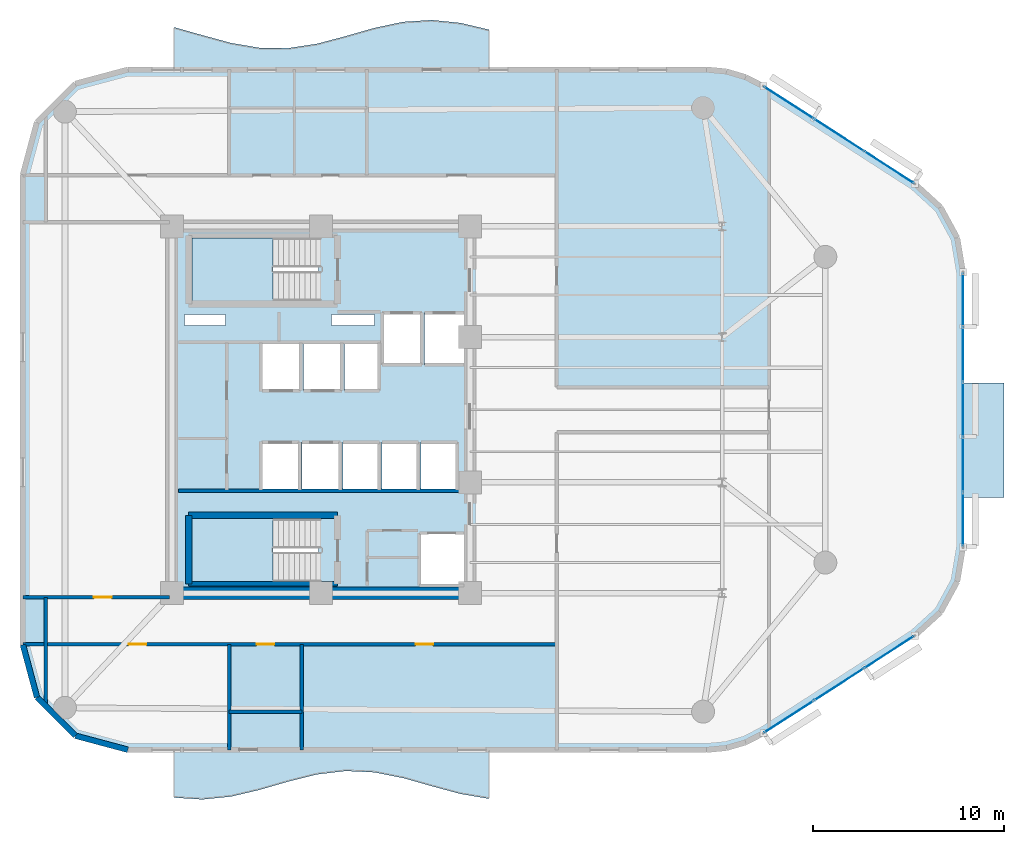
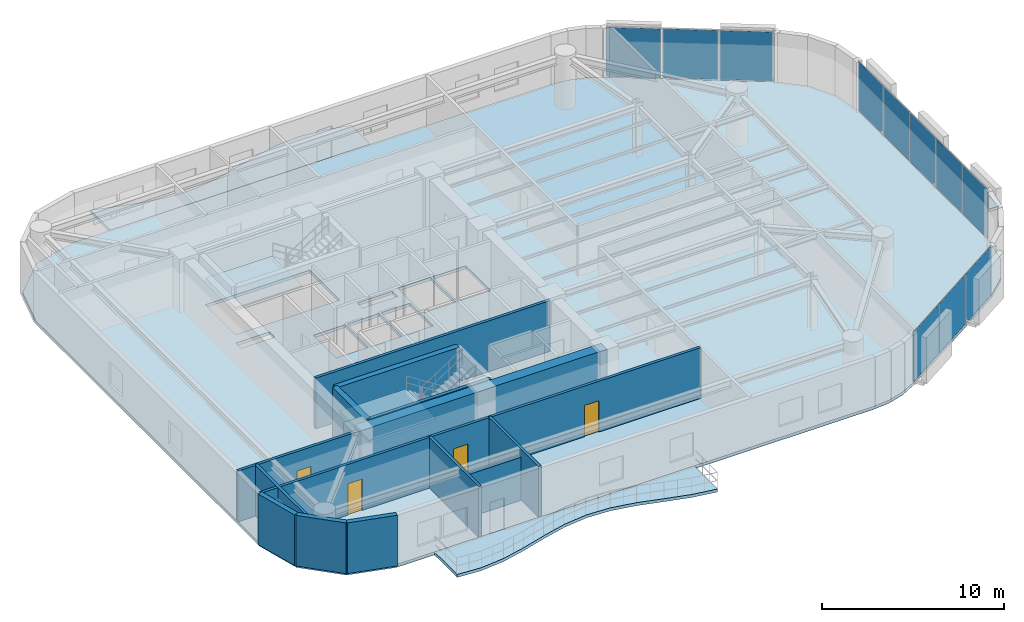
# One storey, part 9 of 14: 14 walls, 11 plates, 6 slabs, 4 doors, 4 openings, 5 elements without a shape of their own.
"""IFC4 building model written with IfcOpenShell, lengths in metres."""

from ifc_helpers import new_model, si_unit, direction, frame, frame_2d, origin, origin_2d, place, context, subcontext, project, spatial, polyline, rectangle, outline, extrude, material, layer, layer_set, type_object, element, fill, aggregate, save


model = new_model("IFC4")

# Units and contexts
model_context = context("Model", 3, precision=1e-05, world=origin(), true_north=direction((0.0, 1.0)))
body_context = subcontext(model_context, "Body", "Model", "MODEL_VIEW")
ifc_project = project(units=[si_unit("LENGTHUNIT", "METRE"), si_unit("AREAUNIT", "SQUARE_METRE"), si_unit("VOLUMEUNIT", "CUBIC_METRE"), si_unit("PLANEANGLEUNIT", "RADIAN"), si_unit("MASSUNIT", "GRAM", prefix="KILO")], contexts=[model_context])

# Site, building, storey
site_placement = place(None, origin())
site = spatial("IfcSite", under=ifc_project, at=site_placement, CompositionType="ELEMENT")
building_placement = place(site_placement, origin())
building = spatial("IfcBuilding", under=site, at=building_placement, Name="An Khanh Terracotta Commons", CompositionType="ELEMENT")
storey_placement = place(building_placement, frame((0.0, 0.0, 154.60009765625)))
storey = spatial("IfcBuildingStorey", under=building, at=storey_placement, Name="L40", CompositionType="ELEMENT", Elevation=154.60009765625)

# Curtain wall, plates
ifc_material_1 = material(Name="Anodised Aluminium 6063-T6", Category="aluminium")
ifc_layer_1 = layer(ifc_material_1, 0.2099609375, Name="Anodised Aluminium 6063-T6")
ifc_layer_set_1 = layer_set([ifc_layer_1], Name="Anodised Aluminium 6063-T6")
curtain_wall_type = type_object("IfcCurtainWallType", Name="CW-SYS-03", PredefinedType="USERDEFINED", material=ifc_layer_set_1)
curtain_wall_1_placement = place(storey_placement, origin())
curtain_wall_1 = element("IfcCurtainWall", 1, at=curtain_wall_1_placement, inside=storey, type_object=curtain_wall_type, Name="L40 CW-03 Unitised Curtain Wall CW-L40-08", ObjectType="UNITISED CURTAIN WALL", PredefinedType="USERDEFINED")
ifc_material_2 = material(Name="Acoustic Laminated Low-E Glazing", Category="glass")
ifc_layer_2 = layer(ifc_material_2, 0.035888671875, Name="Acoustic Laminated Low-E Glazing")
ifc_layer_set_2 = layer_set([ifc_layer_2], Name="Acoustic Laminated Low-E Glazing")
plate_type = type_object("IfcPlateType", Name="CWP-IGU-36", PredefinedType="CURTAIN_PANEL", material=ifc_layer_set_2)
plate_1_placement = place(storey_placement, frame((53.894287109375, 7.935546875, 0.0498046875), z_axis=(0.0, 0.0, 1.0), x_axis=(0.840702081986, 0.541497931062, 0.0)))
plate_1 = element("IfcPlate", 2, at=plate_1_placement, type_object=plate_type, Name="CW-03 panel 1.1", PredefinedType="CURTAIN_PANEL", context=body_context, shape_type="SweptSolid", body=[
    extrude(rectangle(XDim=3.034423828125, YDim=0.035888671875, at=origin_2d()), origin(), (0.0, 0.0, 1.0), 3.300048828125),
])
plate_2_placement = place(storey_placement, frame((56.51904296875, 9.6259765625, 0.0498046875), z_axis=(0.0, 0.0, 1.0), x_axis=(0.840702081986, 0.541497931062, 0.0)))
plate_2 = element("IfcPlate", 3, at=plate_2_placement, type_object=plate_type, Name="CW-03 panel 2.1", PredefinedType="CURTAIN_PANEL", context=body_context, shape_type="SweptSolid", body=[
    extrude(rectangle(XDim=3.0693359375, YDim=0.035888671875, at=origin_2d()), origin(), (0.0, 0.0, 1.0), 3.300048828125),
])
plate_3_placement = place(storey_placement, frame((59.1435546875, 11.31640625, 0.0498046875), z_axis=(0.0, 0.0, 1.0), x_axis=(0.840702081986, 0.541497931062, 0.0)))
plate_3 = element("IfcPlate", 4, at=plate_3_placement, type_object=plate_type, Name="CW-03 panel 3.1", PredefinedType="CURTAIN_PANEL", context=body_context, shape_type="SweptSolid", body=[
    extrude(rectangle(XDim=3.034423828125, YDim=0.035888671875, at=origin_2d()), origin(), (0.0, 0.0, 1.0), 3.300048828125),
])
aggregate(curtain_wall_1, [plate_1, plate_2, plate_3])

curtain_wall_2_placement = place(storey_placement, origin())
curtain_wall_2 = element("IfcCurtainWall", 5, at=curtain_wall_2_placement, inside=storey, type_object=curtain_wall_type, Name="L40 CW-03 Unitised Curtain Wall CW-L40-12", ObjectType="UNITISED CURTAIN WALL", PredefinedType="USERDEFINED")
plate_4_placement = place(storey_placement, frame((63.0, 18.257568359375, 0.0498046875), z_axis=(0.0, 0.0, 1.0), x_axis=(0.0, 1.0, 0.0)))
plate_4 = element("IfcPlate", 6, at=plate_4_placement, type_object=plate_type, Name="CW-03 panel 1.1", PredefinedType="CURTAIN_PANEL", context=body_context, shape_type="SweptSolid", body=[
    extrude(rectangle(XDim=2.77490234375, YDim=0.035888671875, at=origin_2d()), origin(), (0.0, 0.0, 1.0), 3.300048828125),
])
plate_5_placement = place(storey_placement, frame((63.0, 21.1201171875, 0.0498046875), z_axis=(0.0, 0.0, 1.0), x_axis=(0.0, 1.0, 0.0)))
plate_5 = element("IfcPlate", 7, at=plate_5_placement, type_object=plate_type, Name="CW-03 panel 2.1", PredefinedType="CURTAIN_PANEL", context=body_context, shape_type="SweptSolid", body=[
    extrude(rectangle(XDim=2.81005859375, YDim=0.035888671875, at=origin_2d()), origin(), (0.0, 0.0, 1.0), 3.300048828125),
])
plate_6_placement = place(storey_placement, frame((63.0, 24.0, 0.0498046875), z_axis=(0.0, 0.0, 1.0), x_axis=(0.0, 1.0, 0.0)))
plate_6 = element("IfcPlate", 8, at=plate_6_placement, type_object=plate_type, Name="CW-03 panel 3.1", PredefinedType="CURTAIN_PANEL", context=body_context, shape_type="SweptSolid", body=[
    extrude(rectangle(XDim=2.81005859375, YDim=0.035888671875, at=origin_2d()), origin(), (0.0, 0.0, 1.0), 3.300048828125),
])
plate_7_placement = place(storey_placement, frame((63.0, 26.8798828125, 0.0498046875), z_axis=(0.0, 0.0, 1.0), x_axis=(0.0, 1.0, 0.0)))
plate_7 = element("IfcPlate", 9, at=plate_7_placement, type_object=plate_type, Name="CW-03 panel 4.1", PredefinedType="CURTAIN_PANEL", context=body_context, shape_type="SweptSolid", body=[
    extrude(rectangle(XDim=2.81005859375, YDim=0.035888671875, at=origin_2d()), origin(), (0.0, 0.0, 1.0), 3.300048828125),
])
plate_8_placement = place(storey_placement, frame((63.0, 29.742431640625, 0.0498046875), z_axis=(0.0, 0.0, 1.0), x_axis=(0.0, 1.0, 0.0)))
plate_8 = element("IfcPlate", 10, at=plate_8_placement, type_object=plate_type, Name="CW-03 panel 5.1", PredefinedType="CURTAIN_PANEL", context=body_context, shape_type="SweptSolid", body=[
    extrude(rectangle(XDim=2.77490234375, YDim=0.035888671875, at=origin_2d()), origin(), (0.0, 0.0, 1.0), 3.300048828125),
])
aggregate(curtain_wall_2, [plate_4, plate_5, plate_6, plate_7, plate_8])

curtain_wall_3_placement = place(storey_placement, origin())
curtain_wall_3 = element("IfcCurtainWall", 11, at=curtain_wall_3_placement, inside=storey, type_object=curtain_wall_type, Name="L40 CW-03 Unitised Curtain Wall CW-L40-16", ObjectType="UNITISED CURTAIN WALL", PredefinedType="USERDEFINED")
plate_9_placement = place(storey_placement, frame((59.1435546875, 36.68359375, 0.0498046875), z_axis=(0.0, 0.0, 1.0), x_axis=(-0.840702081986, 0.541497931062, 0.0)))
plate_9 = element("IfcPlate", 12, at=plate_9_placement, type_object=plate_type, Name="CW-03 panel 1.1", PredefinedType="CURTAIN_PANEL", context=body_context, shape_type="SweptSolid", body=[
    extrude(rectangle(XDim=3.034423828125, YDim=0.035888671875, at=origin_2d()), origin(), (0.0, 0.0, 1.0), 3.300048828125),
])
plate_10_placement = place(storey_placement, frame((56.51904296875, 38.3740234375, 0.0498046875), z_axis=(0.0, 0.0, 1.0), x_axis=(-0.840702081986, 0.541497931062, 0.0)))
plate_10 = element("IfcPlate", 13, at=plate_10_placement, type_object=plate_type, Name="CW-03 panel 2.1", PredefinedType="CURTAIN_PANEL", context=body_context, shape_type="SweptSolid", body=[
    extrude(rectangle(XDim=3.0693359375, YDim=0.035888671875, at=origin_2d()), origin(), (0.0, 0.0, 1.0), 3.300048828125),
])
plate_11_placement = place(storey_placement, frame((53.894287109375, 40.064453125, 0.0498046875), z_axis=(0.0, 0.0, 1.0), x_axis=(-0.840702081986, 0.541497931062, 0.0)))
plate_11 = element("IfcPlate", 14, at=plate_11_placement, type_object=plate_type, Name="CW-03 panel 3.1", PredefinedType="CURTAIN_PANEL", context=body_context, shape_type="SweptSolid", body=[
    extrude(rectangle(XDim=3.034423828125, YDim=0.035888671875, at=origin_2d()), origin(), (0.0, 0.0, 1.0), 3.300048828125),
])
aggregate(curtain_wall_3, [plate_9, plate_10, plate_11])

# Slabs
ifc_material_3 = material(Name="Concrete C40/50", Category="concrete")
ifc_layer_3 = layer(ifc_material_3, 0.199951171875, Name="Concrete C40/50")
ifc_layer_set_3 = layer_set([ifc_layer_3], Name="Concrete C40/50")
slab_type_1 = type_object("IfcSlabType", Name="SLAB-BALC-200", PredefinedType="FLOOR", material=ifc_layer_set_3)
slab_1_placement = place(storey_placement, frame((0.0, 0.0, -0.2001953125)))
element("IfcSlab", 15, at=slab_1_placement, inside=storey, type_object=slab_type_1, Name="L40 S Sinusoidal Wave Balcony Slab", PredefinedType="FLOOR", context=body_context, shape_type="SweptSolid", body=[
    extrude(outline(polyline([(21.699951171875, 6.199951171875), (21.699951171875, 3.699951171875), (23.199951171875, 3.60205078125), (24.699951171875, 3.7548828125), (26.199951171875, 4.10888671875), (27.699951171875, 4.5439453125), (29.199951171875, 4.9140625), (30.699951171875, 5.093994140625), (32.199951171875, 5.02294921875), (33.699951171875, 4.72509765625), (35.199951171875, 4.301025390625), (36.699951171875, 3.89306640625), (38.199951171875, 3.639892578125), (38.199951171875, 6.199951171875), (21.699951171875, 6.199951171875)])), origin(), (0.0, 0.0, 1.0), 0.2001953125),
])
slab_2_placement = place(storey_placement, frame((0.0, 0.0, -0.2001953125)))
element("IfcSlab", 16, at=slab_2_placement, inside=storey, type_object=slab_type_1, Name="L40 N Sinusoidal Wave Balcony Slab", PredefinedType="FLOOR", context=body_context, shape_type="SweptSolid", body=[
    extrude(outline(polyline([(38.199951171875, 41.800048828125), (38.199951171875, 43.89111328125), (36.699951171875, 44.2451171875), (35.199951171875, 44.39794921875), (33.699951171875, 44.300048828125), (32.199951171875, 43.98193359375), (30.699951171875, 43.552001953125), (29.199951171875, 43.155029296875), (27.699951171875, 42.926025390625), (26.199951171875, 42.93994140625), (24.699951171875, 43.193115234375), (23.199951171875, 43.60107421875), (21.699951171875, 44.02490234375), (21.699951171875, 41.800048828125), (38.199951171875, 41.800048828125)])), origin(), (0.0, 0.0, 1.0), 0.2001953125),
])
ifc_layer_4 = layer(ifc_material_3, 0.22998046875, Name="Concrete C40/50")
ifc_layer_set_4 = layer_set([ifc_layer_4], Name="Concrete C40/50")
slab_type_2 = type_object("IfcSlabType", Name="SLAB-BOXROOF-230", PredefinedType="ROOF", material=ifc_layer_set_4)
slab_3_placement = place(storey_placement, frame((0.0, 0.0, -0.2001953125)))
element("IfcSlab", 17, at=slab_3_placement, inside=storey, type_object=slab_type_2, Name="L40 Shifted Social Kitchen Box Closing Roof Slab (L39)", PredefinedType="ROOF", context=body_context, shape_type="SweptSolid", body=[
    extrude(outline(polyline([(63.0, 19.39990234375), (65.14990234375, 19.39990234375), (65.14990234375, 25.39990234375), (63.0, 25.39990234375), (63.0, 19.39990234375)])), origin(), (0.0, 0.0, 1.0), 0.2001953125),
])

# Stair, slab
ifc_material_4 = material(Name="Precast concrete C40/50", Category="concrete")
stair_type = type_object("IfcStairType", Name="STAIR-CORE-1550", PredefinedType="HALF_TURN_STAIR", material=ifc_material_4)
stair_1_placement = place(storey_placement, origin())
stair_1 = element("IfcStair", 18, at=stair_1_placement, inside=storey, type_object=stair_type, Name="L40 Core Smokeproof Exit Stair ST-01", PredefinedType="HALF_TURN_STAIR")
ifc_layer_5 = layer(ifc_material_3, 0.18994140625, Name="Concrete C40/50")
ifc_layer_set_5 = layer_set([ifc_layer_5], Name="Concrete C40/50")
slab_type_3 = type_object("IfcSlabType", Name="SLAB-LANDING-190", PredefinedType="LANDING", material=ifc_layer_set_5)
slab_4_placement = place(storey_placement, frame((0.0, 0.0, 1.599853515625)))
slab_4 = element("IfcSlab", 19, at=slab_4_placement, type_object=slab_type_3, Name="ST-01 landing 1", PredefinedType="LANDING", context=body_context, shape_type="SweptSolid", body=[
    extrude(outline(polyline([(26.889892578125, 33.0), (22.64990234375, 33.0), (22.64990234375, 29.699951171875), (26.889892578125, 29.699951171875), (26.889892578125, 33.0)])), origin(), (0.0, 0.0, 1.0), 0.199951171875),
])
aggregate(stair_1, [slab_4])

stair_2_placement = place(storey_placement, origin())
stair_2 = element("IfcStair", 20, at=stair_2_placement, inside=storey, type_object=stair_type, Name="L40 Core Smokeproof Exit Stair ST-02", PredefinedType="HALF_TURN_STAIR")
slab_5_placement = place(storey_placement, frame((0.0, 0.0, 1.599853515625)))
slab_5 = element("IfcSlab", 21, at=slab_5_placement, type_object=slab_type_3, Name="ST-02 landing 1", PredefinedType="LANDING", context=body_context, shape_type="SweptSolid", body=[
    extrude(outline(polyline([(26.889892578125, 18.300048828125), (22.64990234375, 18.300048828125), (22.64990234375, 15.0), (26.889892578125, 15.0), (26.889892578125, 18.300048828125)])), origin(), (0.0, 0.0, 1.0), 0.199951171875),
])
aggregate(stair_2, [slab_5])

# Slab
ifc_layer_6 = layer(ifc_material_3, 0.199951171875, Name="Concrete C40/50")
ifc_layer_set_6 = layer_set([ifc_layer_6], Name="Concrete C40/50")
slab_type_4 = type_object("IfcSlabType", Name="SLAB-TYP-200", PredefinedType="FLOOR", material=ifc_layer_set_6)
slab_6_placement = place(storey_placement, frame((0.0, 0.0, -0.2001953125)))
element("IfcSlab", 22, at=slab_6_placement, inside=storey, type_object=slab_type_4, Name="L40 Structural Floor Slab", PredefinedType="FLOOR", context=body_context, shape_type="SweptSolid", body=[
    extrude(outline(polyline([(13.800048828125, 11.699951171875), (14.537109375, 8.949951171875), (16.550048828125, 6.93701171875), (19.300048828125, 6.199951171875), (49.58203125, 6.199951171875), (50.625, 6.300048828125), (51.6298828125, 6.594970703125), (52.56005859375, 7.075927734375), (60.47802734375, 12.176025390625), (61.825927734375, 13.403076171875), (62.697998046875, 15.0029296875), (63.0, 16.800048828125), (63.0, 31.199951171875), (62.697998046875, 32.9970703125), (61.825927734375, 34.596923828125), (60.47802734375, 35.823974609375), (52.56005859375, 40.924072265625), (51.6298828125, 41.405029296875), (50.625, 41.699951171875), (49.58203125, 41.800048828125), (19.300048828125, 41.800048828125), (16.550048828125, 41.06298828125), (14.537109375, 39.050048828125), (13.800048828125, 36.300048828125), (13.800048828125, 11.699951171875)]), holes=[polyline([(22.64990234375, 29.699951171875), (29.27001953125, 29.699951171875), (29.27001953125, 33.0), (22.64990234375, 33.0), (22.64990234375, 29.699951171875)]), polyline([(22.64990234375, 15.0), (29.27001953125, 15.0), (29.27001953125, 18.300048828125), (22.64990234375, 18.300048828125), (22.64990234375, 15.0)]), polyline([(32.60009765625, 26.35009765625), (34.679931640625, 26.35009765625), (34.679931640625, 29.080078125), (32.60009765625, 29.080078125), (32.60009765625, 26.35009765625)]), polyline([(34.820068359375, 26.35009765625), (36.89990234375, 26.35009765625), (36.89990234375, 29.080078125), (34.820068359375, 29.080078125), (34.820068359375, 26.35009765625)]), polyline([(34.550048828125, 14.800048828125), (36.89990234375, 14.800048828125), (36.89990234375, 17.550048828125), (34.550048828125, 17.550048828125), (34.550048828125, 14.800048828125)]), polyline([(26.320068359375, 25.0), (28.340087890625, 25.0), (28.340087890625, 27.5), (26.320068359375, 27.5), (26.320068359375, 25.0)]), polyline([(28.47998046875, 25.0), (30.5, 25.0), (30.5, 27.5), (28.47998046875, 27.5), (28.47998046875, 25.0)]), polyline([(26.280029296875, 19.800048828125), (28.280029296875, 19.800048828125), (28.280029296875, 22.300048828125), (26.280029296875, 22.300048828125), (26.280029296875, 19.800048828125)]), polyline([(28.419921875, 19.800048828125), (30.419921875, 19.800048828125), (30.419921875, 22.300048828125), (28.419921875, 22.300048828125), (28.419921875, 19.800048828125)]), polyline([(30.639892578125, 25.0), (32.4599609375, 25.0), (32.4599609375, 27.5), (30.639892578125, 27.5), (30.639892578125, 25.0)]), polyline([(30.56005859375, 19.800048828125), (32.4599609375, 19.800048828125), (32.4599609375, 22.300048828125), (30.56005859375, 22.300048828125), (30.56005859375, 19.800048828125)]), polyline([(32.60009765625, 19.800048828125), (34.5, 19.800048828125), (34.5, 22.300048828125), (32.60009765625, 22.300048828125), (32.60009765625, 19.800048828125)]), polyline([(34.639892578125, 19.800048828125), (36.5400390625, 19.800048828125), (36.5400390625, 22.300048828125), (34.639892578125, 22.300048828125), (34.639892578125, 19.800048828125)]), polyline([(22.25, 28.419921875), (24.39990234375, 28.419921875), (24.39990234375, 28.97998046875), (22.25, 28.97998046875), (22.25, 28.419921875)]), polyline([(29.949951171875, 28.419921875), (32.199951171875, 28.419921875), (32.199951171875, 28.97998046875), (29.949951171875, 28.97998046875), (29.949951171875, 28.419921875)])]), origin(), (0.0, 0.0, 1.0), 0.2001953125),
])

# Walls
ifc_material_5 = material(Name="Concrete C60/75", Category="concrete")
ifc_layer_7 = layer(ifc_material_5, 0.64990234375, Name="Concrete C60/75")
ifc_layer_set_7 = layer_set([ifc_layer_7], Name="Concrete C60/75")
wall_type_1 = type_object("IfcWallType", Name="WALL-CORE-650", PredefinedType="SHEAR", material=ifc_layer_set_7)
wall_1_placement = place(storey_placement, frame((37.199951171875, 14.39990234375, 0.0), z_axis=(0.0, 0.0, 1.0), x_axis=(-1.0, 0.0, 0.0)))
element("IfcWall", 23, at=wall_1_placement, inside=storey, type_object=wall_type_1, Name="L40 Core Wall CWALL-L40-S", PredefinedType="SHEAR", context=body_context, shape_type="SweptSolid", body=[
    extrude(rectangle(XDim=15.599853515625, YDim=0.64990234375, at=frame_2d((7.7998046875, 0.0))), origin(), (0.0, 0.0, 1.0), 3.39990234375),
])
ifc_material_6 = material(Name="Fire-Rated Gypsum Board on Steel Stud", Category="steel")
ifc_layer_8 = layer(ifc_material_6, 0.179931640625, Name="Fire-Rated Gypsum Board on Steel Stud")
ifc_layer_set_8 = layer_set([ifc_layer_8], Name="Fire-Rated Gypsum Board on Steel Stud")
wall_type_2 = type_object("IfcWallType", Name="WALL-CORR-180", PredefinedType="PARTITIONING", material=ifc_layer_set_8)
wall_2_placement = place(storey_placement, frame((21.949951171875, 19.760009765625, 0.0), z_axis=(0.0, 0.0, 1.0), x_axis=(1.0, 0.0, 0.0)))
element("IfcWall", 24, at=wall_2_placement, inside=storey, type_object=wall_type_2, Name="L40 Core Wall SVW-L40-N", PredefinedType="PARTITIONING", context=body_context, shape_type="SweptSolid", body=[
    extrude(rectangle(XDim=14.8701171875, YDim=0.179931640625, at=frame_2d((7.43505859375, 0.0))), origin(), (0.0, 0.0, 1.0), 3.39990234375),
])
wall_3_placement = place(storey_placement, frame((24.60009765625, 8.199951171875, 0.0), z_axis=(0.0, 0.0, 1.0), x_axis=(1.0, 0.0, 0.0)))
element("IfcWall", 25, at=wall_3_placement, inside=storey, type_object=wall_type_2, Name="L40 Interior Partition IW-L40-E001", PredefinedType="PARTITIONING", context=body_context, shape_type="SweptSolid", body=[
    extrude(rectangle(XDim=3.7998046875, YDim=0.179931640625, at=frame_2d((1.89990234375, 0.0))), origin(), (0.0, 0.0, 1.0), 2.8818359375),
])

# Wall, openings, doors
wall_4_placement = place(storey_placement, frame((13.800048828125, 11.719970703125, 0.0), z_axis=(0.0, 0.0, 1.0), x_axis=(1.0, 0.0, 0.0)))
wall_4 = element("IfcWall", 26, at=wall_4_placement, inside=storey, type_object=wall_type_2, Name="L40 Interior Partition IW-L40-E002", PredefinedType="PARTITIONING", context=body_context, shape_type="SweptSolid", body=[
    extrude(rectangle(XDim=27.949951171875, YDim=0.179931640625, at=frame_2d((13.97509765625, 0.0))), origin(), (0.0, 0.0, 1.0), 3.39990234375),
])
opening_1_placement = place(wall_4_placement, frame((12.239990234375, 0.0, 0.0)))
opening_1 = element("IfcOpeningElement", 27, at=opening_1_placement, cuts=wall_4, Name="Opening D-RM", PredefinedType="OPENING", context=body_context, shape_type="SweptSolid", body=[
    extrude(rectangle(XDim=0.919921875, YDim=2.10009765625, at=frame_2d((0.4599609375, 1.050048828125))), frame((0.0, 0.099853515625, 0.0), z_axis=(0.0, -1.0, 0.0), x_axis=(1.0, 0.0, 0.0)), (0.0, 0.0, 1.0), 0.199951171875),
])
opening_2_placement = place(wall_4_placement, frame((5.5400390625, 0.0, 0.0)))
opening_2 = element("IfcOpeningElement", 28, at=opening_2_placement, cuts=wall_4, Name="Opening D-RM", PredefinedType="OPENING", context=body_context, shape_type="SweptSolid", body=[
    extrude(rectangle(XDim=0.919921875, YDim=2.10009765625, at=frame_2d((0.4599609375, 1.050048828125))), frame((0.0, 0.099853515625, 0.0), z_axis=(0.0, -1.0, 0.0), x_axis=(1.0, 0.0, 0.0)), (0.0, 0.0, 1.0), 0.199951171875),
])
opening_3_placement = place(wall_4_placement, frame((20.554931640625, 0.0, 0.0)))
opening_3 = element("IfcOpeningElement", 29, at=opening_3_placement, cuts=wall_4, Name="Opening D-RM", PredefinedType="OPENING", context=body_context, shape_type="SweptSolid", body=[
    extrude(rectangle(XDim=0.919921875, YDim=2.10009765625, at=frame_2d((0.4599609375, 1.050048828125))), frame((0.0, 0.099853515625, 0.0), z_axis=(0.0, -1.0, 0.0), x_axis=(1.0, 0.0, 0.0)), (0.0, 0.0, 1.0), 0.199951171875),
])
ifc_material_7 = material(Name="Engineered Hardwood Timber Leaf", Category="wood")
door_type = type_object("IfcDoorType", Name="DOOR-INT-920", OperationType="NOTDEFINED", PredefinedType="DOOR", material=ifc_material_7)
door_1_placement = place(opening_1_placement, origin())
door_1 = element("IfcDoor", 30, at=door_1_placement, inside=storey, type_object=door_type, Name="L40 HKP Housekeeping Linen Store Door", OperationType="SINGLE_SWING_RIGHT", OverallHeight=2.10009765625, OverallWidth=0.919921875, PredefinedType="DOOR", context=body_context, shape_type="SweptSolid", body=[
    extrude(rectangle(XDim=0.919921875, YDim=2.10009765625, at=frame_2d((0.4599609375, 1.050048828125))), frame((0.0, 0.02490234375, 0.0), z_axis=(0.0, -1.0, 0.0), x_axis=(1.0, 0.0, 0.0)), (0.0, 0.0, 1.0), 0.050048828125),
])
fill(opening_1, door_1)
door_2_placement = place(opening_2_placement, origin())
door_2 = element("IfcDoor", 31, at=door_2_placement, inside=storey, type_object=door_type, Name="L40 SW1 Academic Seminar Room Door", OperationType="SINGLE_SWING_RIGHT", OverallHeight=2.10009765625, OverallWidth=0.919921875, PredefinedType="DOOR", context=body_context, shape_type="SweptSolid", body=[
    extrude(rectangle(XDim=0.919921875, YDim=2.10009765625, at=frame_2d((0.4599609375, 1.050048828125))), frame((0.0, 0.02490234375, 0.0), z_axis=(0.0, -1.0, 0.0), x_axis=(1.0, 0.0, 0.0)), (0.0, 0.0, 1.0), 0.050048828125),
])
fill(opening_2, door_2)
door_3_placement = place(opening_3_placement, origin())
door_3 = element("IfcDoor", 32, at=door_3_placement, inside=storey, type_object=door_type, Name="L40 SWE Music Practice Room Door", OperationType="SINGLE_SWING_LEFT", OverallHeight=2.10009765625, OverallWidth=0.919921875, PredefinedType="DOOR", context=body_context, shape_type="SweptSolid", body=[
    extrude(rectangle(XDim=0.919921875, YDim=2.10009765625, at=frame_2d((0.4599609375, 1.050048828125))), frame((0.0, 0.02490234375, 0.0), z_axis=(0.0, -1.0, 0.0), x_axis=(1.0, 0.0, 0.0)), (0.0, 0.0, 1.0), 0.050048828125),
])
fill(opening_3, door_3)

# Wall, opening, door
wall_5_placement = place(storey_placement, frame((13.800048828125, 14.179931640625, 0.0), z_axis=(0.0, 0.0, 1.0), x_axis=(1.0, 0.0, 0.0)))
wall_5 = element("IfcWall", 33, at=wall_5_placement, inside=storey, type_object=wall_type_2, Name="L40 Interior Partition IW-L40-E003", PredefinedType="PARTITIONING", context=body_context, shape_type="SweptSolid", body=[
    extrude(rectangle(XDim=7.679931640625, YDim=0.179931640625, at=frame_2d((3.83984375, 0.0))), origin(), (0.0, 0.0, 1.0), 3.39990234375),
])
opening_4_placement = place(wall_5_placement, frame((3.719970703125, 0.0, 0.0)))
opening_4 = element("IfcOpeningElement", 34, at=opening_4_placement, cuts=wall_5, Name="Opening D-RM", PredefinedType="OPENING", context=body_context, shape_type="SweptSolid", body=[
    extrude(rectangle(XDim=0.919921875, YDim=2.10009765625, at=frame_2d((0.4599609375, 1.050048828125))), frame((0.0, 0.099853515625, 0.0), z_axis=(0.0, -1.0, 0.0), x_axis=(1.0, 0.0, 0.0)), (0.0, 0.0, 1.0), 0.199951171875),
])
door_4_placement = place(opening_4_placement, origin())
door_4 = element("IfcDoor", 35, at=door_4_placement, inside=storey, type_object=door_type, Name="L40 WW1 Riverfront Reading Hall Door", OperationType="SINGLE_SWING_RIGHT", OverallHeight=2.10009765625, OverallWidth=0.919921875, PredefinedType="DOOR", context=body_context, shape_type="SweptSolid", body=[
    extrude(rectangle(XDim=0.919921875, YDim=2.10009765625, at=frame_2d((0.4599609375, 1.050048828125))), frame((0.0, 0.02490234375, 0.0), z_axis=(0.0, -1.0, 0.0), x_axis=(1.0, 0.0, 0.0)), (0.0, 0.0, 1.0), 0.050048828125),
])
fill(opening_4, door_4)

# Walls
wall_6_placement = place(storey_placement, frame((15.0, 8.487060546875, 0.0), z_axis=(0.0, 0.0, 1.0), x_axis=(0.0, 1.0, 0.0)))
element("IfcWall", 36, at=wall_6_placement, inside=storey, type_object=wall_type_2, Name="L40 Interior Partition IW-L40-E009", PredefinedType="PARTITIONING", context=body_context, shape_type="SweptSolid", body=[
    extrude(rectangle(XDim=5.69287109375, YDim=0.179931640625, at=frame_2d((2.846435546875, 0.0))), origin(), (0.0, 0.0, 1.0), 3.39990234375),
])
for number, where, z_axis, x_axis, name in (
    (37, (24.60009765625, 6.199951171875, 0.0), (0.0, 0.0, 1.0), (0.0, 1.0, 0.0), "L40 Interior Partition IW-L40-E011"),
    (38, (28.39990234375, 6.199951171875, 0.0), (0.0, 0.0, 1.0), (0.0, 1.0, 0.0), "L40 Interior Partition IW-L40-E014"),
):
    element("IfcWall", number, at=place(storey_placement, frame(where, z_axis=z_axis, x_axis=x_axis)), inside=storey, type_object=wall_type_2, Name=name, PredefinedType="PARTITIONING", context=body_context, shape_type="SweptSolid", body=[
        extrude(rectangle(XDim=5.52001953125, YDim=0.179931640625, at=frame_2d((2.760009765625, 0.0))), origin(), (0.0, 0.0, 1.0), 3.39990234375),
    ])
ifc_layer_9 = layer(ifc_material_4, 0.300048828125, Name="Precast concrete C40/50")
ifc_layer_set_9 = layer_set([ifc_layer_9], Name="Precast concrete C40/50")
wall_type_3 = type_object("IfcWallType", Name="WALL-EXT-300", PredefinedType="SOLIDWALL", material=ifc_layer_set_9)
wall_7_placement = place(storey_placement, frame((13.800048828125, 11.699951171875, 0.0), z_axis=(0.0, 0.0, 1.0), x_axis=(0.258884674387, -0.965908238586, 0.0)))
element("IfcWall", 39, at=wall_7_placement, inside=storey, type_object=wall_type_3, Name="L40 Insulated Terracotta Exterior Wall 1", PredefinedType="SOLIDWALL", context=body_context, shape_type="SweptSolid", body=[
    extrude(rectangle(XDim=2.84716796875, YDim=0.300048828125, at=frame_2d((1.423583984375, 0.0))), origin(), (0.0, 0.0, 1.0), 3.39990234375),
])
wall_8_placement = place(storey_placement, frame((14.537109375, 8.949951171875, 0.0), z_axis=(0.0, 0.0, 1.0), x_axis=(0.707106781187, -0.707106781187, 0.0)))
element("IfcWall", 40, at=wall_8_placement, inside=storey, type_object=wall_type_3, Name="L40 Insulated Terracotta Exterior Wall 2", PredefinedType="SOLIDWALL", context=body_context, shape_type="SweptSolid", body=[
    extrude(rectangle(XDim=2.8466796875, YDim=0.300048828125, at=frame_2d((1.42333984375, 0.0))), origin(), (0.0, 0.0, 1.0), 3.39990234375),
])
wall_9_placement = place(storey_placement, frame((16.550048828125, 6.93701171875, 0.0), z_axis=(0.0, 0.0, 1.0), x_axis=(0.965908238586, -0.258884674387, 0.0)))
element("IfcWall", 41, at=wall_9_placement, inside=storey, type_object=wall_type_3, Name="L40 Insulated Terracotta Exterior Wall 3", PredefinedType="SOLIDWALL", context=body_context, shape_type="SweptSolid", body=[
    extrude(rectangle(XDim=2.84716796875, YDim=0.300048828125, at=frame_2d((1.423583984375, 0.0))), origin(), (0.0, 0.0, 1.0), 3.39990234375),
])
ifc_material_8 = material(Name="Acoustic Double-Stud Gypsum and Mineral Wool")
ifc_layer_10 = layer(ifc_material_8, 0.219970703125, Name="Acoustic Double-Stud Gypsum and Mineral Wool")
ifc_layer_set_10 = layer_set([ifc_layer_10], Name="Acoustic Double-Stud Gypsum and Mineral Wool")
wall_type_4 = type_object("IfcWallType", Name="WALL-PARTY-220", PredefinedType="PARTITIONING", material=ifc_layer_set_10)
wall_10_placement = place(storey_placement, frame((22.47998046875, 14.889892578125, 0.0), z_axis=(0.0, 0.0, 1.0), x_axis=(1.0, 0.0, 0.0)))
element("IfcWall", 42, at=wall_10_placement, inside=storey, type_object=wall_type_4, Name="L40 Core Wall STW-L40-S-S", PredefinedType="PARTITIONING", context=body_context, shape_type="SweptSolid", body=[
    extrude(rectangle(XDim=7.7900390625, YDim=0.219970703125, at=frame_2d((3.89501953125, 0.0))), origin(), (0.0, 0.0, 1.0), 3.39990234375),
])
ifc_material_9 = material(Name="Concrete C50/60", Category="concrete")
ifc_layer_11 = layer(ifc_material_9, 0.35009765625, Name="Concrete C50/60")
ifc_layer_set_11 = layer_set([ifc_layer_11], Name="Concrete C50/60")
wall_type_5 = type_object("IfcWallType", Name="WALL-SHAFT-350", PredefinedType="SOLIDWALL", material=ifc_layer_set_11)
wall_11_placement = place(storey_placement, frame((22.47998046875, 18.469970703125, 0.0), z_axis=(0.0, 0.0, 1.0), x_axis=(1.0, 0.0, 0.0)))
element("IfcWall", 43, at=wall_11_placement, inside=storey, type_object=wall_type_5, Name="L40 Core Wall STW-L40-S-N", PredefinedType="SOLIDWALL", context=body_context, shape_type="SweptSolid", body=[
    extrude(rectangle(XDim=7.7900390625, YDim=0.35009765625, at=frame_2d((3.89501953125, 0.0))), origin(), (0.0, 0.0, 1.0), 3.39990234375),
])
wall_12_placement = place(storey_placement, frame((22.47998046875, 14.889892578125, 0.0), z_axis=(0.0, 0.0, 1.0), x_axis=(0.0, 1.0, 0.0)))
element("IfcWall", 44, at=wall_12_placement, inside=storey, type_object=wall_type_5, Name="L40 Core Wall STW-L40-S-W", PredefinedType="SOLIDWALL", context=body_context, shape_type="SweptSolid", body=[
    extrude(rectangle(XDim=3.580078125, YDim=0.35009765625, at=frame_2d((1.7900390625, 0.0))), origin(), (0.0, 0.0, 1.0), 3.39990234375),
])

save(model, "model.ifc")
